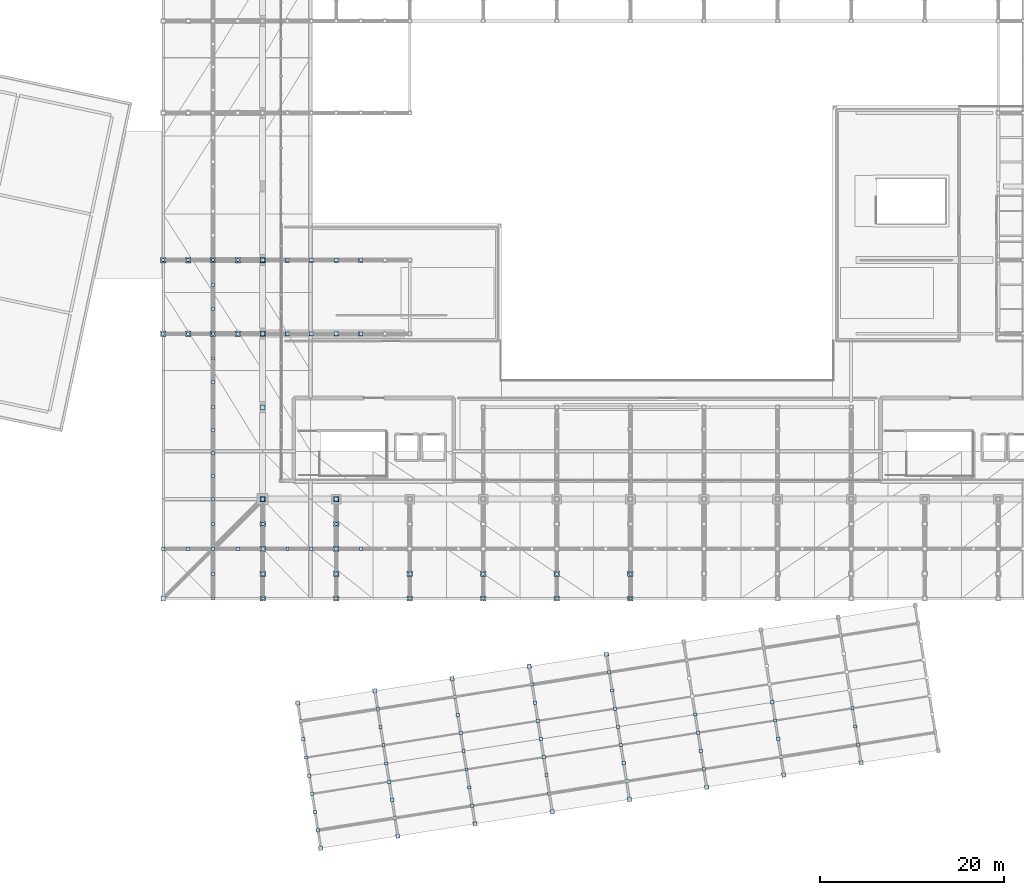
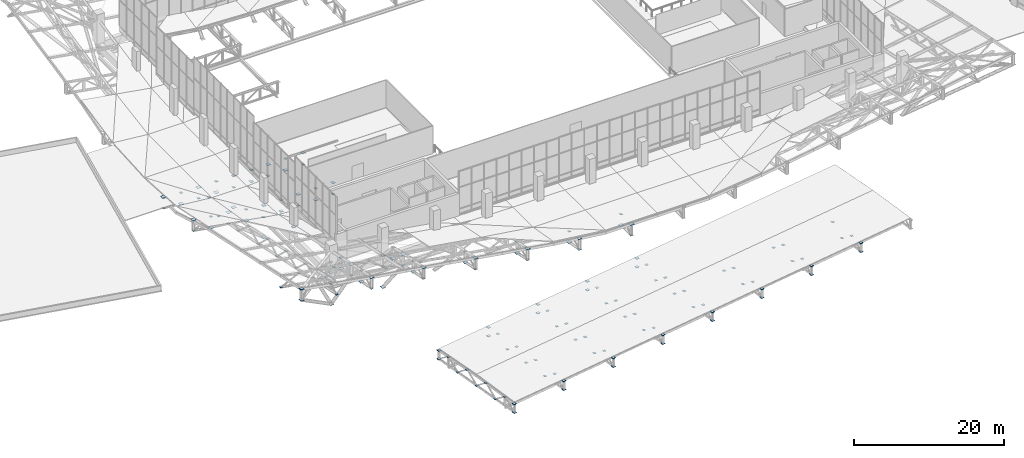
# One storey, part 114 of 137: 172 plates.
"""IFC4 building model written with IfcOpenShell, lengths in metres."""

from ifc_helpers import new_model, si_unit, direction, frame, origin, origin_2d, place, context, subcontext, project, spatial, rectangle, extrude, material, layer, layer_set, type_object, element, save


model = new_model("IFC4")

# Units and contexts
model_context = context("Model", 3, precision=1e-05, world=origin(), true_north=direction((0.0, 1.0)))
body_context = subcontext(model_context, "Body", "Model", "MODEL_VIEW")
ifc_project = project(units=[si_unit("LENGTHUNIT", "METRE"), si_unit("AREAUNIT", "SQUARE_METRE"), si_unit("VOLUMEUNIT", "CUBIC_METRE"), si_unit("PLANEANGLEUNIT", "RADIAN"), si_unit("MASSUNIT", "GRAM", prefix="KILO")], contexts=[model_context])

# Site, building, storey
site_placement = place(None, origin())
site = spatial("IfcSite", under=ifc_project, at=site_placement, CompositionType="ELEMENT")
building_placement = place(site_placement, origin())
building = spatial("IfcBuilding", under=site, at=building_placement, Name="Khorjan Park Terminus", CompositionType="ELEMENT")
storey_placement = place(building_placement, frame((0.0, 0.0, 11.4)))
storey = spatial("IfcBuildingStorey", under=building, at=storey_placement, Name="L02", CompositionType="ELEMENT", Elevation=11.4)

# Plates
ifc_material = material(Name="Steel S355", Category="steel")
ifc_layer_1 = layer(ifc_material, 0.02)
ifc_layer_set_1 = layer_set([ifc_layer_1], Name="Steel S355")
plate_type_1 = type_object("IfcPlateType", Name="PT-CAPE-20", PredefinedType="SHEET", material=ifc_layer_set_1)
for number, where, z_axis, x_axis, name in (
    (1, (54.3129, -11.9754, -2.01), (0.0, 0.0, 1.0), (0.987688340595, 0.15643446504, 0.0), "Steel truss node cap plate NPE-20 (RC2-NP-V3-T01-SB)"),
    (2, (54.3129, -11.9754, -0.61), (0.0, 0.0, 1.0), (0.987688340595, 0.15643446504, 0.0), "Steel truss node cap plate NPE-20 (RC2-NP-V3-T01-ST)"),
    (3, (51.8099, 3.8276, -2.01), (0.0, 0.0, 1.0), (0.987688340595, 0.15643446504, 0.0), "Steel truss node cap plate NPE-20 (RC2-NP-V3-T01-NB)"),
    (4, (51.8099, 3.8276, -0.61), (0.0, 0.0, 1.0), (0.987688340595, 0.15643446504, 0.0), "Steel truss node cap plate NPE-20 (RC2-NP-V3-T01-NT)"),
    (5, (62.7082, -10.6457, -2.01), (0.0, 0.0, 1.0), (0.987688340595, 0.15643446504, 0.0), "Steel truss node cap plate NPE-20 (RC2-NP-V3-T02-SB)"),
    (6, (62.7082, -10.6457, -0.61), (0.0, 0.0, 1.0), (0.987688340595, 0.15643446504, 0.0), "Steel truss node cap plate NPE-20 (RC2-NP-V3-T02-ST)"),
    (7, (60.2053, 5.1573, -2.01), (0.0, 0.0, 1.0), (0.987688340595, 0.15643446504, 0.0), "Steel truss node cap plate NPE-20 (RC2-NP-V3-T02-NB)"),
    (8, (60.2053, 5.1573, -0.61), (0.0, 0.0, 1.0), (0.987688340595, 0.15643446504, 0.0), "Steel truss node cap plate NPE-20 (RC2-NP-V3-T02-NT)"),
    (9, (71.1036, -9.316, -2.01), (0.0, 0.0, 1.0), (0.987688340595, 0.15643446504, 0.0), "Steel truss node cap plate NPE-20 (RC2-NP-V3-T03-SB)"),
    (10, (71.1036, -9.316, -0.61), (0.0, 0.0, 1.0), (0.987688340595, 0.15643446504, 0.0), "Steel truss node cap plate NPE-20 (RC2-NP-V3-T03-ST)"),
    (11, (68.6006, 6.487, -2.01), (0.0, 0.0, 1.0), (0.987688340595, 0.15643446504, 0.0), "Steel truss node cap plate NPE-20 (RC2-NP-V3-T03-NB)"),
    (12, (68.6006, 6.487, -0.61), (0.0, 0.0, 1.0), (0.987688340595, 0.15643446504, 0.0), "Steel truss node cap plate NPE-20 (RC2-NP-V3-T03-NT)"),
    (13, (79.4989, -7.9863, -2.01), (0.0, 0.0, 1.0), (0.987688340595, 0.15643446504, 0.0), "Steel truss node cap plate NPE-20 (RC2-NP-V3-T04-SB)"),
    (14, (79.4989, -7.9863, -0.61), (0.0, 0.0, 1.0), (0.987688340595, 0.15643446504, 0.0), "Steel truss node cap plate NPE-20 (RC2-NP-V3-T04-ST)"),
    (15, (76.996, 7.8167, -2.01), (0.0, 0.0, 1.0), (0.987688340595, 0.15643446504, 0.0), "Steel truss node cap plate NPE-20 (RC2-NP-V3-T04-NB)"),
    (16, (76.996, 7.8167, -0.61), (0.0, 0.0, 1.0), (0.987688340595, 0.15643446504, 0.0), "Steel truss node cap plate NPE-20 (RC2-NP-V3-T04-NT)"),
    (17, (87.8943, -6.6566, -2.01), (0.0, 0.0, 1.0), (0.987688340595, 0.15643446504, 0.0), "Steel truss node cap plate NPE-20 (RC2-NP-V3-T05-SB)"),
    (18, (87.8943, -6.6566, -0.61), (0.0, 0.0, 1.0), (0.987688340595, 0.15643446504, 0.0), "Steel truss node cap plate NPE-20 (RC2-NP-V3-T05-ST)"),
    (19, (85.3913, 9.1464, -2.01), (0.0, 0.0, 1.0), (0.987688340595, 0.15643446504, 0.0), "Steel truss node cap plate NPE-20 (RC2-NP-V3-T05-NB)"),
    (20, (85.3913, 9.1464, -0.61), (0.0, 0.0, 1.0), (0.987688340595, 0.15643446504, 0.0), "Steel truss node cap plate NPE-20 (RC2-NP-V3-T05-NT)"),
    (21, (96.2896, -5.3269, -2.01), (0.0, 0.0, 1.0), (0.987688340595, 0.15643446504, 0.0), "Steel truss node cap plate NPE-20 (RC2-NP-V3-T06-SB)"),
    (22, (96.2896, -5.3269, -0.61), (0.0, 0.0, 1.0), (0.987688340595, 0.15643446504, 0.0), "Steel truss node cap plate NPE-20 (RC2-NP-V3-T06-ST)"),
    (23, (104.685, -3.9972, -2.01), (0.0, 0.0, 1.0), (0.987688340595, 0.15643446504, 0.0), "Steel truss node cap plate NPE-20 (RC2-NP-V3-T07-SB)"),
    (24, (104.685, -3.9972, -0.61), (0.0, 0.0, 1.0), (0.987688340595, 0.15643446504, 0.0), "Steel truss node cap plate NPE-20 (RC2-NP-V3-T07-ST)"),
    (25, (113.0803, -2.6675, -2.01), (0.0, 0.0, 1.0), (0.987688340595, 0.15643446504, 0.0), "Steel truss node cap plate NPE-20 (RC2-NP-V3-T08-SB)"),
    (26, (113.0803, -2.6675, -0.61), (0.0, 0.0, 1.0), (0.987688340595, 0.15643446504, 0.0), "Steel truss node cap plate NPE-20 (RC2-NP-V3-T08-ST)"),
):
    element("IfcPlate", number, at=place(storey_placement, frame(where, z_axis=z_axis, x_axis=x_axis)), inside=storey, type_object=plate_type_1, Name=name, PredefinedType="SHEET", context=body_context, shape_type="SweptSolid", body=[
        extrude(rectangle(XDim=0.45, YDim=0.45, at=origin_2d()), origin(), (0.0, 0.0, 1.0), 0.02),
    ])
ifc_layer_2 = layer(ifc_material, 0.022)
ifc_layer_set_2 = layer_set([ifc_layer_2], Name="Steel S355")
plate_type_2 = type_object("IfcPlateType", Name="PT-GUS-22", PredefinedType="SHEET", material=ifc_layer_set_2)
for number, where, z_axis, x_axis, name in (
    (27, (48.0, 26.0, -0.061), (0.0, 0.0, 1.0), (1.0, 0.0, 0.0), "Steel truss node cap plate NP-22 (RC2-GUS-END-0497)"),
    (28, (56.0, 26.0, -0.061), (0.0, 0.0, 1.0), (1.0, 0.0, 0.0), "Steel truss node cap plate NP-22 (RC2-GUS-END-0519)"),
):
    element("IfcPlate", number, at=place(storey_placement, frame(where, z_axis=z_axis, x_axis=x_axis)), inside=storey, type_object=plate_type_2, Name=name, PredefinedType="SHEET", context=body_context, shape_type="SweptSolid", body=[
        extrude(rectangle(XDim=0.49, YDim=0.49, at=origin_2d()), origin(), (0.0, 0.0, 1.0), 0.022),
    ])
for number, where, z_axis, x_axis, name in (
    (29, (50.7, 44.0, -0.061), (0.0, 0.0, 1.0), (1.0, 0.0, 0.0), "Steel truss node cap plate NP-22 (RC2-GUS-END-0945)"),
    (30, (53.3, 44.0, -1.931), (0.0, 0.0, 1.0), (1.0, 0.0, 0.0), "Steel truss node cap plate NP-22 (RC2-GUS-END-0946)"),
    (31, (56.0, 44.0, -0.061), (0.0, 0.0, 1.0), (1.0, 0.0, 0.0), "Steel truss node cap plate NP-22 (RC2-GUS-END-0947)"),
    (32, (58.7, 44.0, -1.931), (0.0, 0.0, 1.0), (1.0, 0.0, 0.0), "Steel truss node cap plate NP-22 (RC2-GUS-END-0948)"),
):
    element("IfcPlate", number, at=place(storey_placement, frame(where, z_axis=z_axis, x_axis=x_axis)), inside=storey, type_object=plate_type_2, Name=name, PredefinedType="SHEET", context=body_context, shape_type="SweptSolid", body=[
        extrude(rectangle(XDim=0.36, YDim=0.36, at=origin_2d()), origin(), (0.0, 0.0, 1.0), 0.022),
    ])
for number, where, z_axis, x_axis, name in (
    (33, (48.0, 44.0, -0.061), (0.0, 0.0, 1.0), (1.0, 0.0, 0.0), "Steel truss node cap plate NP-22 (RC2-GUS-END-0955)"),
    (34, (50.7, 44.0, -1.931), (0.0, 0.0, 1.0), (1.0, 0.0, 0.0), "Steel truss node cap plate NP-22 (RC2-GUS-END-0956)"),
    (35, (53.3, 44.0, -0.061), (0.0, 0.0, 1.0), (1.0, 0.0, 0.0), "Steel truss node cap plate NP-22 (RC2-GUS-END-0957)"),
    (36, (56.0, 44.0, -1.931), (0.0, 0.0, 1.0), (1.0, 0.0, 0.0), "Steel truss node cap plate NP-22 (RC2-GUS-END-0958)"),
    (37, (58.7, 44.0, -0.061), (0.0, 0.0, 1.0), (1.0, 0.0, 0.0), "Steel truss node cap plate NP-22 (RC2-GUS-END-0959)"),
):
    element("IfcPlate", number, at=place(storey_placement, frame(where, z_axis=z_axis, x_axis=x_axis)), inside=storey, type_object=plate_type_2, Name=name, PredefinedType="SHEET", context=body_context, shape_type="SweptSolid", body=[
        extrude(rectangle(XDim=0.49, YDim=0.49, at=origin_2d()), origin(), (0.0, 0.0, 1.0), 0.022),
    ])
for number, where, z_axis, x_axis, name in (
    (38, (50.7, 52.0, -0.061), (0.0, 0.0, 1.0), (1.0, 0.0, 0.0), "Steel truss node cap plate NP-22 (RC2-GUS-END-0985)"),
    (39, (53.3, 52.0, -1.931), (0.0, 0.0, 1.0), (1.0, 0.0, 0.0), "Steel truss node cap plate NP-22 (RC2-GUS-END-0986)"),
    (40, (56.0, 52.0, -0.061), (0.0, 0.0, 1.0), (1.0, 0.0, 0.0), "Steel truss node cap plate NP-22 (RC2-GUS-END-0987)"),
    (41, (58.7, 52.0, -1.931), (0.0, 0.0, 1.0), (1.0, 0.0, 0.0), "Steel truss node cap plate NP-22 (RC2-GUS-END-0988)"),
):
    element("IfcPlate", number, at=place(storey_placement, frame(where, z_axis=z_axis, x_axis=x_axis)), inside=storey, type_object=plate_type_2, Name=name, PredefinedType="SHEET", context=body_context, shape_type="SweptSolid", body=[
        extrude(rectangle(XDim=0.36, YDim=0.36, at=origin_2d()), origin(), (0.0, 0.0, 1.0), 0.022),
    ])
for number, where, z_axis, x_axis, name in (
    (42, (48.0, 52.0, -0.061), (0.0, 0.0, 1.0), (1.0, 0.0, 0.0), "Steel truss node cap plate NP-22 (RC2-GUS-END-0995)"),
    (43, (50.7, 52.0, -1.931), (0.0, 0.0, 1.0), (1.0, 0.0, 0.0), "Steel truss node cap plate NP-22 (RC2-GUS-END-0996)"),
    (44, (53.3, 52.0, -0.061), (0.0, 0.0, 1.0), (1.0, 0.0, 0.0), "Steel truss node cap plate NP-22 (RC2-GUS-END-0997)"),
    (45, (56.0, 52.0, -1.931), (0.0, 0.0, 1.0), (1.0, 0.0, 0.0), "Steel truss node cap plate NP-22 (RC2-GUS-END-0998)"),
    (46, (58.7, 52.0, -0.061), (0.0, 0.0, 1.0), (1.0, 0.0, 0.0), "Steel truss node cap plate NP-22 (RC2-GUS-END-0999)"),
):
    element("IfcPlate", number, at=place(storey_placement, frame(where, z_axis=z_axis, x_axis=x_axis)), inside=storey, type_object=plate_type_2, Name=name, PredefinedType="SHEET", context=body_context, shape_type="SweptSolid", body=[
        extrude(rectangle(XDim=0.49, YDim=0.49, at=origin_2d()), origin(), (0.0, 0.0, 1.0), 0.022),
    ])
ifc_layer_3 = layer(ifc_material, 0.025)
ifc_layer_set_3 = layer_set([ifc_layer_3], Name="Steel S355")
plate_type_3 = type_object("IfcPlateType", Name="PT-GUSE-25", PredefinedType="SHEET", material=ifc_layer_set_3)
plate_placement = place(storey_placement, frame((48.0, 36.0, 1.3117), z_axis=(0.0, 0.0, 1.0), x_axis=(1.0, 0.0, 0.0)))
element("IfcPlate", 47, at=plate_placement, inside=storey, type_object=plate_type_3, Name="Steel truss node cap plate NPE-25 (RC2-NP-LRIM-S-48)", PredefinedType="SHEET", context=body_context, shape_type="SweptSolid", body=[
    extrude(rectangle(XDim=0.52, YDim=0.52, at=origin_2d()), origin(), (0.0, 0.0, 1.0), 0.025),
])
for number, where, z_axis, x_axis, name in (
    (48, (37.2, 15.2, 7.6075), (0.0, 0.0, 1.0), (1.0, 0.0, 0.0), "Steel truss node cap plate NPE-25 (RC2-NP-LCRN-SW)"),
    (49, (37.2, 15.2, 5.8075), (0.0, 0.0, 1.0), (1.0, 0.0, 0.0), "Steel truss node cap plate NPE-25 (RC2-NP-LCRN-B-SW)"),
):
    element("IfcPlate", number, at=place(storey_placement, frame(where, z_axis=z_axis, x_axis=x_axis)), inside=storey, type_object=plate_type_3, Name=name, PredefinedType="SHEET", context=body_context, shape_type="SweptSolid", body=[
        extrude(rectangle(XDim=0.5, YDim=0.5, at=origin_2d()), origin(), (0.0, 0.0, 1.0), 0.025),
    ])
for number, where, z_axis, x_axis, name in (
    (50, (48.0, 15.2, 3.9274), (0.0, 0.0, 1.0), (1.0, 0.0, 0.0), "Steel truss node cap plate NPE-25 (RC2-GUS-END-0488)"),
    (51, (48.0, 17.9, 5.1542), (0.0, 0.0, 1.0), (1.0, 0.0, 0.0), "Steel truss node cap plate NPE-25 (RC2-GUS-END-0489)"),
    (52, (48.0, 20.6, 2.781), (0.0, 0.0, 1.0), (1.0, 0.0, 0.0), "Steel truss node cap plate NPE-25 (RC2-GUS-END-0490)"),
    (53, (48.0, 23.3, 4.0078), (0.0, 0.0, 1.0), (1.0, 0.0, 0.0), "Steel truss node cap plate NPE-25 (RC2-GUS-END-0491)"),
    (54, (48.0, 26.0, -1.9325), (0.0, 0.0, 1.0), (1.0, 0.0, 0.0), "Steel truss node cap plate NPE-25 (RC2-GUS-END-0492)"),
):
    element("IfcPlate", number, at=place(storey_placement, frame(where, z_axis=z_axis, x_axis=x_axis)), inside=storey, type_object=plate_type_3, Name=name, PredefinedType="SHEET", context=body_context, shape_type="SweptSolid", body=[
        extrude(rectangle(XDim=0.36, YDim=0.36, at=origin_2d()), origin(), (0.0, 0.0, 1.0), 0.025),
    ])
for number, where, z_axis, x_axis, name in (
    (55, (48.0, 15.2, 5.7274), (0.0, 0.0, 1.0), (1.0, 0.0, 0.0), "Steel truss node cap plate NPE-25 (RC2-GUS-END-0493)"),
    (56, (48.0, 17.9, 3.3542), (0.0, 0.0, 1.0), (1.0, 0.0, 0.0), "Steel truss node cap plate NPE-25 (RC2-GUS-END-0494)"),
    (57, (48.0, 20.6, 4.581), (0.0, 0.0, 1.0), (1.0, 0.0, 0.0), "Steel truss node cap plate NPE-25 (RC2-GUS-END-0495)"),
    (58, (48.0, 23.3, 2.2078), (0.0, 0.0, 1.0), (1.0, 0.0, 0.0), "Steel truss node cap plate NPE-25 (RC2-GUS-END-0496)"),
    (59, (48.0, 26.0, -5.2125), (0.0, 0.0, 1.0), (1.0, 0.0, 0.0), "Steel truss node cap plate NPE-25 (RC2-GUS-END-0498)"),
):
    element("IfcPlate", number, at=place(storey_placement, frame(where, z_axis=z_axis, x_axis=x_axis)), inside=storey, type_object=plate_type_3, Name=name, PredefinedType="SHEET", context=body_context, shape_type="SweptSolid", body=[
        extrude(rectangle(XDim=0.59, YDim=0.59, at=origin_2d()), origin(), (0.0, 0.0, 1.0), 0.025),
    ])
for number, where, z_axis, x_axis, name in (
    (60, (56.0, 15.2, 2.72), (0.0, 0.0, 1.0), (1.0, 0.0, 0.0), "Steel truss node cap plate NPE-25 (RC2-GUS-END-0510)"),
    (61, (56.0, 17.9, 3.969), (0.0, 0.0, 1.0), (1.0, 0.0, 0.0), "Steel truss node cap plate NPE-25 (RC2-GUS-END-0511)"),
    (62, (56.0, 20.6, 1.6258), (0.0, 0.0, 1.0), (1.0, 0.0, 0.0), "Steel truss node cap plate NPE-25 (RC2-GUS-END-0512)"),
    (63, (56.0, 23.3, 2.8748), (0.0, 0.0, 1.0), (1.0, 0.0, 0.0), "Steel truss node cap plate NPE-25 (RC2-GUS-END-0513)"),
    (64, (56.0, 26.0, -1.9325), (0.0, 0.0, 1.0), (1.0, 0.0, 0.0), "Steel truss node cap plate NPE-25 (RC2-GUS-END-0514)"),
):
    element("IfcPlate", number, at=place(storey_placement, frame(where, z_axis=z_axis, x_axis=x_axis)), inside=storey, type_object=plate_type_3, Name=name, PredefinedType="SHEET", context=body_context, shape_type="SweptSolid", body=[
        extrude(rectangle(XDim=0.36, YDim=0.36, at=origin_2d()), origin(), (0.0, 0.0, 1.0), 0.025),
    ])
for number, where, z_axis, x_axis, name in (
    (65, (56.0, 15.2, 4.52), (0.0, 0.0, 1.0), (1.0, 0.0, 0.0), "Steel truss node cap plate NPE-25 (RC2-GUS-END-0515)"),
    (66, (56.0, 17.9, 2.169), (0.0, 0.0, 1.0), (1.0, 0.0, 0.0), "Steel truss node cap plate NPE-25 (RC2-GUS-END-0516)"),
    (67, (56.0, 20.6, 3.4258), (0.0, 0.0, 1.0), (1.0, 0.0, 0.0), "Steel truss node cap plate NPE-25 (RC2-GUS-END-0517)"),
    (68, (56.0, 23.3, 1.0748), (0.0, 0.0, 1.0), (1.0, 0.0, 0.0), "Steel truss node cap plate NPE-25 (RC2-GUS-END-0518)"),
    (69, (56.0, 26.0, -5.2125), (0.0, 0.0, 1.0), (1.0, 0.0, 0.0), "Steel truss node cap plate NPE-25 (RC2-GUS-END-0520)"),
):
    element("IfcPlate", number, at=place(storey_placement, frame(where, z_axis=z_axis, x_axis=x_axis)), inside=storey, type_object=plate_type_3, Name=name, PredefinedType="SHEET", context=body_context, shape_type="SweptSolid", body=[
        extrude(rectangle(XDim=0.59, YDim=0.59, at=origin_2d()), origin(), (0.0, 0.0, 1.0), 0.025),
    ])
for number, where, z_axis, x_axis, name in (
    (70, (64.0, 15.2, 1.4643), (0.0, 0.0, 1.0), (1.0, 0.0, 0.0), "Steel truss node cap plate NPE-25 (RC2-GUS-END-0540)"),
    (71, (64.0, 17.9, 2.7228), (0.0, 0.0, 1.0), (1.0, 0.0, 0.0), "Steel truss node cap plate NPE-25 (RC2-GUS-END-0541)"),
):
    element("IfcPlate", number, at=place(storey_placement, frame(where, z_axis=z_axis, x_axis=x_axis)), inside=storey, type_object=plate_type_3, Name=name, PredefinedType="SHEET", context=body_context, shape_type="SweptSolid", body=[
        extrude(rectangle(XDim=0.36, YDim=0.36, at=origin_2d()), origin(), (0.0, 0.0, 1.0), 0.025),
    ])
for number, where, z_axis, x_axis, name in (
    (72, (64.0, 15.2, 3.2643), (0.0, 0.0, 1.0), (1.0, 0.0, 0.0), "Steel truss node cap plate NPE-25 (RC2-GUS-END-0545)"),
    (73, (64.0, 17.9, 0.9228), (0.0, 0.0, 1.0), (1.0, 0.0, 0.0), "Steel truss node cap plate NPE-25 (RC2-GUS-END-0546)"),
):
    element("IfcPlate", number, at=place(storey_placement, frame(where, z_axis=z_axis, x_axis=x_axis)), inside=storey, type_object=plate_type_3, Name=name, PredefinedType="SHEET", context=body_context, shape_type="SweptSolid", body=[
        extrude(rectangle(XDim=0.59, YDim=0.59, at=origin_2d()), origin(), (0.0, 0.0, 1.0), 0.025),
    ])
for number, where, z_axis, x_axis, name in (
    (74, (72.0, 15.2, 0.1822), (0.0, 0.0, 1.0), (1.0, 0.0, 0.0), "Steel truss node cap plate NPE-25 (RC2-GUS-END-0570)"),
    (75, (72.0, 17.9, 1.4407), (0.0, 0.0, 1.0), (1.0, 0.0, 0.0), "Steel truss node cap plate NPE-25 (RC2-GUS-END-0571)"),
):
    element("IfcPlate", number, at=place(storey_placement, frame(where, z_axis=z_axis, x_axis=x_axis)), inside=storey, type_object=plate_type_3, Name=name, PredefinedType="SHEET", context=body_context, shape_type="SweptSolid", body=[
        extrude(rectangle(XDim=0.36, YDim=0.36, at=origin_2d()), origin(), (0.0, 0.0, 1.0), 0.025),
    ])
for number, where, z_axis, x_axis, name in (
    (76, (72.0, 15.2, 1.9822), (0.0, 0.0, 1.0), (1.0, 0.0, 0.0), "Steel truss node cap plate NPE-25 (RC2-GUS-END-0579)"),
    (77, (72.0, 17.9, -0.3593), (0.0, 0.0, 1.0), (1.0, 0.0, 0.0), "Steel truss node cap plate NPE-25 (RC2-GUS-END-0580)"),
):
    element("IfcPlate", number, at=place(storey_placement, frame(where, z_axis=z_axis, x_axis=x_axis)), inside=storey, type_object=plate_type_3, Name=name, PredefinedType="SHEET", context=body_context, shape_type="SweptSolid", body=[
        extrude(rectangle(XDim=0.59, YDim=0.59, at=origin_2d()), origin(), (0.0, 0.0, 1.0), 0.025),
    ])
for number, where, z_axis, x_axis, name in (
    (78, (80.0, 15.2, -0.9397), (0.0, 0.0, 1.0), (1.0, 0.0, 0.0), "Steel truss node cap plate NPE-25 (RC2-GUS-END-0608)"),
    (79, (80.0, 17.9, 0.3795), (0.0, 0.0, 1.0), (1.0, 0.0, 0.0), "Steel truss node cap plate NPE-25 (RC2-GUS-END-0609)"),
):
    element("IfcPlate", number, at=place(storey_placement, frame(where, z_axis=z_axis, x_axis=x_axis)), inside=storey, type_object=plate_type_3, Name=name, PredefinedType="SHEET", context=body_context, shape_type="SweptSolid", body=[
        extrude(rectangle(XDim=0.36, YDim=0.36, at=origin_2d()), origin(), (0.0, 0.0, 1.0), 0.025),
    ])
for number, where, z_axis, x_axis, name in (
    (80, (80.0, 15.2, 0.8603), (0.0, 0.0, 1.0), (1.0, 0.0, 0.0), "Steel truss node cap plate NPE-25 (RC2-GUS-END-0617)"),
    (81, (80.0, 17.9, -1.4205), (0.0, 0.0, 1.0), (1.0, 0.0, 0.0), "Steel truss node cap plate NPE-25 (RC2-GUS-END-0618)"),
):
    element("IfcPlate", number, at=place(storey_placement, frame(where, z_axis=z_axis, x_axis=x_axis)), inside=storey, type_object=plate_type_3, Name=name, PredefinedType="SHEET", context=body_context, shape_type="SweptSolid", body=[
        extrude(rectangle(XDim=0.59, YDim=0.59, at=origin_2d()), origin(), (0.0, 0.0, 1.0), 0.025),
    ])
for number, where, z_axis, x_axis, name in (
    (82, (88.0, 15.2, -1.4205), (0.0, 0.0, 1.0), (1.0, 0.0, 0.0), "Steel truss node cap plate NPE-25 (RC2-GUS-END-0646)"),
    (83, (88.0, 17.9, 0.3795), (0.0, 0.0, 1.0), (1.0, 0.0, 0.0), "Steel truss node cap plate NPE-25 (RC2-GUS-END-0647)"),
):
    element("IfcPlate", number, at=place(storey_placement, frame(where, z_axis=z_axis, x_axis=x_axis)), inside=storey, type_object=plate_type_3, Name=name, PredefinedType="SHEET", context=body_context, shape_type="SweptSolid", body=[
        extrude(rectangle(XDim=0.36, YDim=0.36, at=origin_2d()), origin(), (0.0, 0.0, 1.0), 0.025),
    ])
for number, where, z_axis, x_axis, name in (
    (84, (88.0, 15.2, 0.3795), (0.0, 0.0, 1.0), (1.0, 0.0, 0.0), "Steel truss node cap plate NPE-25 (RC2-GUS-END-0655)"),
    (85, (88.0, 17.9, -1.4205), (0.0, 0.0, 1.0), (1.0, 0.0, 0.0), "Steel truss node cap plate NPE-25 (RC2-GUS-END-0656)"),
):
    element("IfcPlate", number, at=place(storey_placement, frame(where, z_axis=z_axis, x_axis=x_axis)), inside=storey, type_object=plate_type_3, Name=name, PredefinedType="SHEET", context=body_context, shape_type="SweptSolid", body=[
        extrude(rectangle(XDim=0.59, YDim=0.59, at=origin_2d()), origin(), (0.0, 0.0, 1.0), 0.025),
    ])
for number, where, z_axis, x_axis, name in (
    (86, (37.2, 20.6, 4.6131), (0.0, 0.0, 1.0), (1.0, 0.0, 0.0), "Steel truss node cap plate NPE-25 (RC2-GUS-END-0880)"),
    (87, (39.9, 20.6, 5.9551), (0.0, 0.0, 1.0), (1.0, 0.0, 0.0), "Steel truss node cap plate NPE-25 (RC2-GUS-END-0881)"),
    (88, (42.6, 20.6, 3.6971), (0.0, 0.0, 1.0), (1.0, 0.0, 0.0), "Steel truss node cap plate NPE-25 (RC2-GUS-END-0882)"),
    (89, (45.3, 20.6, 5.039), (0.0, 0.0, 1.0), (1.0, 0.0, 0.0), "Steel truss node cap plate NPE-25 (RC2-GUS-END-0883)"),
    (90, (50.7, 20.6, 4.2005), (0.0, 0.0, 1.0), (1.0, 0.0, 0.0), "Steel truss node cap plate NPE-25 (RC2-GUS-END-0884)"),
    (91, (53.3, 20.6, 2.0331), (0.0, 0.0, 1.0), (1.0, 0.0, 0.0), "Steel truss node cap plate NPE-25 (RC2-GUS-END-0885)"),
    (92, (58.7, 20.6, 1.2185), (0.0, 0.0, 1.0), (1.0, 0.0, 0.0), "Steel truss node cap plate NPE-25 (RC2-GUS-END-0886)"),
    (93, (37.2, 44.0, -0.3545), (0.0, 0.0, 1.0), (1.0, 0.0, 0.0), "Steel truss node cap plate NPE-25 (RC2-GUS-END-0940)"),
    (94, (39.9, 44.0, 0.9875), (0.0, 0.0, 1.0), (1.0, 0.0, 0.0), "Steel truss node cap plate NPE-25 (RC2-GUS-END-0941)"),
    (95, (42.6, 44.0, -1.0892), (0.0, 0.0, 1.0), (1.0, 0.0, 0.0), "Steel truss node cap plate NPE-25 (RC2-GUS-END-0942)"),
    (96, (45.3, 44.0, 0.2528), (0.0, 0.0, 1.0), (1.0, 0.0, 0.0), "Steel truss node cap plate NPE-25 (RC2-GUS-END-0943)"),
    (97, (48.0, 44.0, -1.9325), (0.0, 0.0, 1.0), (1.0, 0.0, 0.0), "Steel truss node cap plate NPE-25 (RC2-GUS-END-0944)"),
):
    element("IfcPlate", number, at=place(storey_placement, frame(where, z_axis=z_axis, x_axis=x_axis)), inside=storey, type_object=plate_type_3, Name=name, PredefinedType="SHEET", context=body_context, shape_type="SweptSolid", body=[
        extrude(rectangle(XDim=0.36, YDim=0.36, at=origin_2d()), origin(), (0.0, 0.0, 1.0), 0.025),
    ])
for number, where, z_axis, x_axis, name in (
    (98, (37.2, 44.0, 1.4455), (0.0, 0.0, 1.0), (1.0, 0.0, 0.0), "Steel truss node cap plate NPE-25 (RC2-GUS-END-0951)"),
    (99, (39.9, 44.0, -0.8125), (0.0, 0.0, 1.0), (1.0, 0.0, 0.0), "Steel truss node cap plate NPE-25 (RC2-GUS-END-0952)"),
    (100, (42.6, 44.0, 0.7108), (0.0, 0.0, 1.0), (1.0, 0.0, 0.0), "Steel truss node cap plate NPE-25 (RC2-GUS-END-0953)"),
    (101, (45.3, 44.0, -1.5472), (0.0, 0.0, 1.0), (1.0, 0.0, 0.0), "Steel truss node cap plate NPE-25 (RC2-GUS-END-0954)"),
    (102, (48.0, 44.0, -5.2125), (0.0, 0.0, 1.0), (1.0, 0.0, 0.0), "Steel truss node cap plate NPE-25 (RC2-GUS-END-0962)"),
):
    element("IfcPlate", number, at=place(storey_placement, frame(where, z_axis=z_axis, x_axis=x_axis)), inside=storey, type_object=plate_type_3, Name=name, PredefinedType="SHEET", context=body_context, shape_type="SweptSolid", body=[
        extrude(rectangle(XDim=0.59, YDim=0.59, at=origin_2d()), origin(), (0.0, 0.0, 1.0), 0.025),
    ])
for number, where, z_axis, x_axis, name in (
    (103, (37.2, 52.0, -1.5283), (0.0, 0.0, 1.0), (1.0, 0.0, 0.0), "Steel truss node cap plate NPE-25 (RC2-GUS-END-0980)"),
    (104, (39.9, 52.0, 0.0063), (0.0, 0.0, 1.0), (1.0, 0.0, 0.0), "Steel truss node cap plate NPE-25 (RC2-GUS-END-0981)"),
    (105, (42.6, 52.0, -1.8405), (0.0, 0.0, 1.0), (1.0, 0.0, 0.0), "Steel truss node cap plate NPE-25 (RC2-GUS-END-0982)"),
    (106, (45.3, 52.0, -0.0405), (0.0, 0.0, 1.0), (1.0, 0.0, 0.0), "Steel truss node cap plate NPE-25 (RC2-GUS-END-0983)"),
    (107, (48.0, 52.0, -1.9325), (0.0, 0.0, 1.0), (1.0, 0.0, 0.0), "Steel truss node cap plate NPE-25 (RC2-GUS-END-0984)"),
):
    element("IfcPlate", number, at=place(storey_placement, frame(where, z_axis=z_axis, x_axis=x_axis)), inside=storey, type_object=plate_type_3, Name=name, PredefinedType="SHEET", context=body_context, shape_type="SweptSolid", body=[
        extrude(rectangle(XDim=0.36, YDim=0.36, at=origin_2d()), origin(), (0.0, 0.0, 1.0), 0.025),
    ])
for number, where, z_axis, x_axis, name in (
    (108, (37.2, 52.0, 0.2717), (0.0, 0.0, 1.0), (1.0, 0.0, 0.0), "Steel truss node cap plate NPE-25 (RC2-GUS-END-0991)"),
    (109, (39.9, 52.0, -1.7937), (0.0, 0.0, 1.0), (1.0, 0.0, 0.0), "Steel truss node cap plate NPE-25 (RC2-GUS-END-0992)"),
    (110, (42.6, 52.0, -0.0405), (0.0, 0.0, 1.0), (1.0, 0.0, 0.0), "Steel truss node cap plate NPE-25 (RC2-GUS-END-0993)"),
    (111, (45.3, 52.0, -1.8405), (0.0, 0.0, 1.0), (1.0, 0.0, 0.0), "Steel truss node cap plate NPE-25 (RC2-GUS-END-0994)"),
    (112, (48.0, 52.0, -5.2125), (0.0, 0.0, 1.0), (1.0, 0.0, 0.0), "Steel truss node cap plate NPE-25 (RC2-GUS-END-1002)"),
):
    element("IfcPlate", number, at=place(storey_placement, frame(where, z_axis=z_axis, x_axis=x_axis)), inside=storey, type_object=plate_type_3, Name=name, PredefinedType="SHEET", context=body_context, shape_type="SweptSolid", body=[
        extrude(rectangle(XDim=0.59, YDim=0.59, at=origin_2d()), origin(), (0.0, 0.0, 1.0), 0.025),
    ])
for number, where, z_axis, x_axis, name in (
    (113, (42.6, 15.2, 4.8434), (0.0, 0.0, 1.0), (1.0, 0.0, 0.0), "Steel truss node cap plate NPE-25 (RC2-GUS-END-1094)"),
    (114, (42.6, 17.9, 6.0703), (0.0, 0.0, 1.0), (1.0, 0.0, 0.0), "Steel truss node cap plate NPE-25 (RC2-GUS-END-1095)"),
    (115, (42.6, 23.3, 4.9239), (0.0, 0.0, 1.0), (1.0, 0.0, 0.0), "Steel truss node cap plate NPE-25 (RC2-GUS-END-1096)"),
    (116, (42.6, 26.0, 2.5507), (0.0, 0.0, 1.0), (1.0, 0.0, 0.0), "Steel truss node cap plate NPE-25 (RC2-GUS-END-1097)"),
    (117, (42.6, 28.5, 3.82), (0.0, 0.0, 1.0), (1.0, 0.0, 0.0), "Steel truss node cap plate NPE-25 (RC2-GUS-END-1098)"),
    (118, (42.6, 31.0, 1.4893), (0.0, 0.0, 1.0), (1.0, 0.0, 0.0), "Steel truss node cap plate NPE-25 (RC2-GUS-END-1099)"),
    (119, (42.6, 33.5, 2.7585), (0.0, 0.0, 1.0), (1.0, 0.0, 0.0), "Steel truss node cap plate NPE-25 (RC2-GUS-END-1100)"),
    (120, (42.6, 36.0, 0.4278), (0.0, 0.0, 1.0), (1.0, 0.0, 0.0), "Steel truss node cap plate NPE-25 (RC2-GUS-END-1101)"),
    (121, (42.6, 38.7, 1.6546), (0.0, 0.0, 1.0), (1.0, 0.0, 0.0), "Steel truss node cap plate NPE-25 (RC2-GUS-END-1102)"),
    (122, (42.6, 41.3, -0.6384), (0.0, 0.0, 1.0), (1.0, 0.0, 0.0), "Steel truss node cap plate NPE-25 (RC2-GUS-END-1103)"),
    (123, (42.6, 46.7, -1.54), (0.0, 0.0, 1.0), (1.0, 0.0, 0.0), "Steel truss node cap plate NPE-25 (RC2-GUS-END-1104)"),
    (124, (42.6, 49.3, -0.0405), (0.0, 0.0, 1.0), (1.0, 0.0, 0.0), "Steel truss node cap plate NPE-25 (RC2-GUS-END-1105)"),
    (125, (48.0, 26.0, 1.6826), (0.0, 0.0, 1.0), (1.0, 0.0, 0.0), "Steel truss node cap plate NPE-25 (RC2-GUS-END-1150)"),
    (126, (42.6, 20.6, 5.5451), (0.0, 0.0, 1.0), (1.0, 0.0, 0.0), "Steel truss node cap plate NPE-25 (RC2-GUS-END-1151)"),
    (127, (54.0, -10.0, -0.5725), (0.0, 0.0, 1.0), (1.0, 0.0, 0.0), "Steel truss node cap plate NPE-25 (RC2-GUS-END-1156)"),
    (128, (53.6871, -8.0246, -2.0125), (0.0, 0.0, 1.0), (1.0, 0.0, 0.0), "Steel truss node cap plate NPE-25 (RC2-GUS-END-1157)"),
    (129, (53.3743, -6.0492, -0.4925), (0.0, 0.0, 1.0), (1.0, 0.0, 0.0), "Steel truss node cap plate NPE-25 (RC2-GUS-END-1158)"),
    (130, (53.0614, -4.0739, -2.0125), (0.0, 0.0, 1.0), (1.0, 0.0, 0.0), "Steel truss node cap plate NPE-25 (RC2-GUS-END-1159)"),
    (131, (52.7485, -2.0985, -0.4925), (0.0, 0.0, 1.0), (1.0, 0.0, 0.0), "Steel truss node cap plate NPE-25 (RC2-GUS-END-1160)"),
    (132, (52.4357, -0.1231, -2.0125), (0.0, 0.0, 1.0), (1.0, 0.0, 0.0), "Steel truss node cap plate NPE-25 (RC2-GUS-END-1161)"),
    (133, (52.1228, 1.8523, -0.5725), (0.0, 0.0, 1.0), (1.0, 0.0, 0.0), "Steel truss node cap plate NPE-25 (RC2-GUS-END-1162)"),
    (134, (62.3954, -8.6703, -0.5725), (0.0, 0.0, 1.0), (1.0, 0.0, 0.0), "Steel truss node cap plate NPE-25 (RC2-GUS-END-1163)"),
    (135, (62.0825, -6.6949, -2.0125), (0.0, 0.0, 1.0), (1.0, 0.0, 0.0), "Steel truss node cap plate NPE-25 (RC2-GUS-END-1164)"),
    (136, (61.7696, -4.7196, -0.4925), (0.0, 0.0, 1.0), (1.0, 0.0, 0.0), "Steel truss node cap plate NPE-25 (RC2-GUS-END-1165)"),
    (137, (61.4567, -2.7442, -2.0125), (0.0, 0.0, 1.0), (1.0, 0.0, 0.0), "Steel truss node cap plate NPE-25 (RC2-GUS-END-1166)"),
    (138, (61.1439, -0.7688, -0.4925), (0.0, 0.0, 1.0), (1.0, 0.0, 0.0), "Steel truss node cap plate NPE-25 (RC2-GUS-END-1167)"),
    (139, (60.831, 1.2066, -2.0125), (0.0, 0.0, 1.0), (1.0, 0.0, 0.0), "Steel truss node cap plate NPE-25 (RC2-GUS-END-1168)"),
    (140, (60.5181, 3.182, -0.5725), (0.0, 0.0, 1.0), (1.0, 0.0, 0.0), "Steel truss node cap plate NPE-25 (RC2-GUS-END-1169)"),
    (141, (70.7907, -7.3406, -0.5725), (0.0, 0.0, 1.0), (1.0, 0.0, 0.0), "Steel truss node cap plate NPE-25 (RC2-GUS-END-1170)"),
    (142, (70.4778, -5.3652, -2.0125), (0.0, 0.0, 1.0), (1.0, 0.0, 0.0), "Steel truss node cap plate NPE-25 (RC2-GUS-END-1171)"),
    (143, (70.165, -3.3899, -0.4925), (0.0, 0.0, 1.0), (1.0, 0.0, 0.0), "Steel truss node cap plate NPE-25 (RC2-GUS-END-1172)"),
    (144, (69.8521, -1.4145, -2.0125), (0.0, 0.0, 1.0), (1.0, 0.0, 0.0), "Steel truss node cap plate NPE-25 (RC2-GUS-END-1173)"),
    (145, (69.5392, 0.5609, -0.4925), (0.0, 0.0, 1.0), (1.0, 0.0, 0.0), "Steel truss node cap plate NPE-25 (RC2-GUS-END-1174)"),
    (146, (69.2264, 2.5363, -2.0125), (0.0, 0.0, 1.0), (1.0, 0.0, 0.0), "Steel truss node cap plate NPE-25 (RC2-GUS-END-1175)"),
    (147, (68.9135, 4.5116, -0.5725), (0.0, 0.0, 1.0), (1.0, 0.0, 0.0), "Steel truss node cap plate NPE-25 (RC2-GUS-END-1176)"),
    (148, (79.1861, -6.0109, -0.5725), (0.0, 0.0, 1.0), (1.0, 0.0, 0.0), "Steel truss node cap plate NPE-25 (RC2-GUS-END-1177)"),
    (149, (78.8732, -4.0355, -2.0125), (0.0, 0.0, 1.0), (1.0, 0.0, 0.0), "Steel truss node cap plate NPE-25 (RC2-GUS-END-1178)"),
    (150, (78.5603, -2.0602, -0.4925), (0.0, 0.0, 1.0), (1.0, 0.0, 0.0), "Steel truss node cap plate NPE-25 (RC2-GUS-END-1179)"),
    (151, (78.2474, -0.0848, -2.0125), (0.0, 0.0, 1.0), (1.0, 0.0, 0.0), "Steel truss node cap plate NPE-25 (RC2-GUS-END-1180)"),
    (152, (77.9346, 1.8906, -0.4925), (0.0, 0.0, 1.0), (1.0, 0.0, 0.0), "Steel truss node cap plate NPE-25 (RC2-GUS-END-1181)"),
    (153, (77.6217, 3.866, -2.0125), (0.0, 0.0, 1.0), (1.0, 0.0, 0.0), "Steel truss node cap plate NPE-25 (RC2-GUS-END-1182)"),
    (154, (77.3088, 5.8413, -0.5725), (0.0, 0.0, 1.0), (1.0, 0.0, 0.0), "Steel truss node cap plate NPE-25 (RC2-GUS-END-1183)"),
    (155, (87.5814, -4.6812, -0.5725), (0.0, 0.0, 1.0), (1.0, 0.0, 0.0), "Steel truss node cap plate NPE-25 (RC2-GUS-END-1184)"),
    (156, (87.2685, -2.7059, -2.0125), (0.0, 0.0, 1.0), (1.0, 0.0, 0.0), "Steel truss node cap plate NPE-25 (RC2-GUS-END-1185)"),
    (157, (86.9557, -0.7305, -0.4925), (0.0, 0.0, 1.0), (1.0, 0.0, 0.0), "Steel truss node cap plate NPE-25 (RC2-GUS-END-1186)"),
    (158, (86.6428, 1.2449, -2.0125), (0.0, 0.0, 1.0), (1.0, 0.0, 0.0), "Steel truss node cap plate NPE-25 (RC2-GUS-END-1187)"),
    (159, (86.3299, 3.2203, -0.4925), (0.0, 0.0, 1.0), (1.0, 0.0, 0.0), "Steel truss node cap plate NPE-25 (RC2-GUS-END-1188)"),
    (160, (86.0171, 5.1957, -2.0125), (0.0, 0.0, 1.0), (1.0, 0.0, 0.0), "Steel truss node cap plate NPE-25 (RC2-GUS-END-1189)"),
    (161, (85.7042, 7.171, -0.5725), (0.0, 0.0, 1.0), (1.0, 0.0, 0.0), "Steel truss node cap plate NPE-25 (RC2-GUS-END-1190)"),
    (162, (95.9768, -3.3515, -0.5725), (0.0, 0.0, 1.0), (1.0, 0.0, 0.0), "Steel truss node cap plate NPE-25 (RC2-GUS-END-1191)"),
    (163, (95.6639, -1.3762, -2.0125), (0.0, 0.0, 1.0), (1.0, 0.0, 0.0), "Steel truss node cap plate NPE-25 (RC2-GUS-END-1192)"),
    (164, (95.351, 0.5992, -0.4925), (0.0, 0.0, 1.0), (1.0, 0.0, 0.0), "Steel truss node cap plate NPE-25 (RC2-GUS-END-1193)"),
    (165, (95.0381, 2.5746, -2.0125), (0.0, 0.0, 1.0), (1.0, 0.0, 0.0), "Steel truss node cap plate NPE-25 (RC2-GUS-END-1194)"),
    (166, (104.3721, -2.0218, -0.5725), (0.0, 0.0, 1.0), (1.0, 0.0, 0.0), "Steel truss node cap plate NPE-25 (RC2-GUS-END-1198)"),
    (167, (104.0592, -0.0465, -2.0125), (0.0, 0.0, 1.0), (1.0, 0.0, 0.0), "Steel truss node cap plate NPE-25 (RC2-GUS-END-1199)"),
    (168, (103.7464, 1.9289, -0.4925), (0.0, 0.0, 1.0), (1.0, 0.0, 0.0), "Steel truss node cap plate NPE-25 (RC2-GUS-END-1200)"),
    (169, (103.4335, 3.9043, -2.0125), (0.0, 0.0, 1.0), (1.0, 0.0, 0.0), "Steel truss node cap plate NPE-25 (RC2-GUS-END-1201)"),
    (170, (112.7675, -0.6921, -0.5725), (0.0, 0.0, 1.0), (1.0, 0.0, 0.0), "Steel truss node cap plate NPE-25 (RC2-GUS-END-1205)"),
    (171, (112.4546, 1.2832, -2.0125), (0.0, 0.0, 1.0), (1.0, 0.0, 0.0), "Steel truss node cap plate NPE-25 (RC2-GUS-END-1206)"),
    (172, (112.1417, 3.2586, -0.4925), (0.0, 0.0, 1.0), (1.0, 0.0, 0.0), "Steel truss node cap plate NPE-25 (RC2-GUS-END-1207)"),
):
    element("IfcPlate", number, at=place(storey_placement, frame(where, z_axis=z_axis, x_axis=x_axis)), inside=storey, type_object=plate_type_3, Name=name, PredefinedType="SHEET", context=body_context, shape_type="SweptSolid", body=[
        extrude(rectangle(XDim=0.36, YDim=0.36, at=origin_2d()), origin(), (0.0, 0.0, 1.0), 0.025),
    ])

save(model, "model.ifc")
